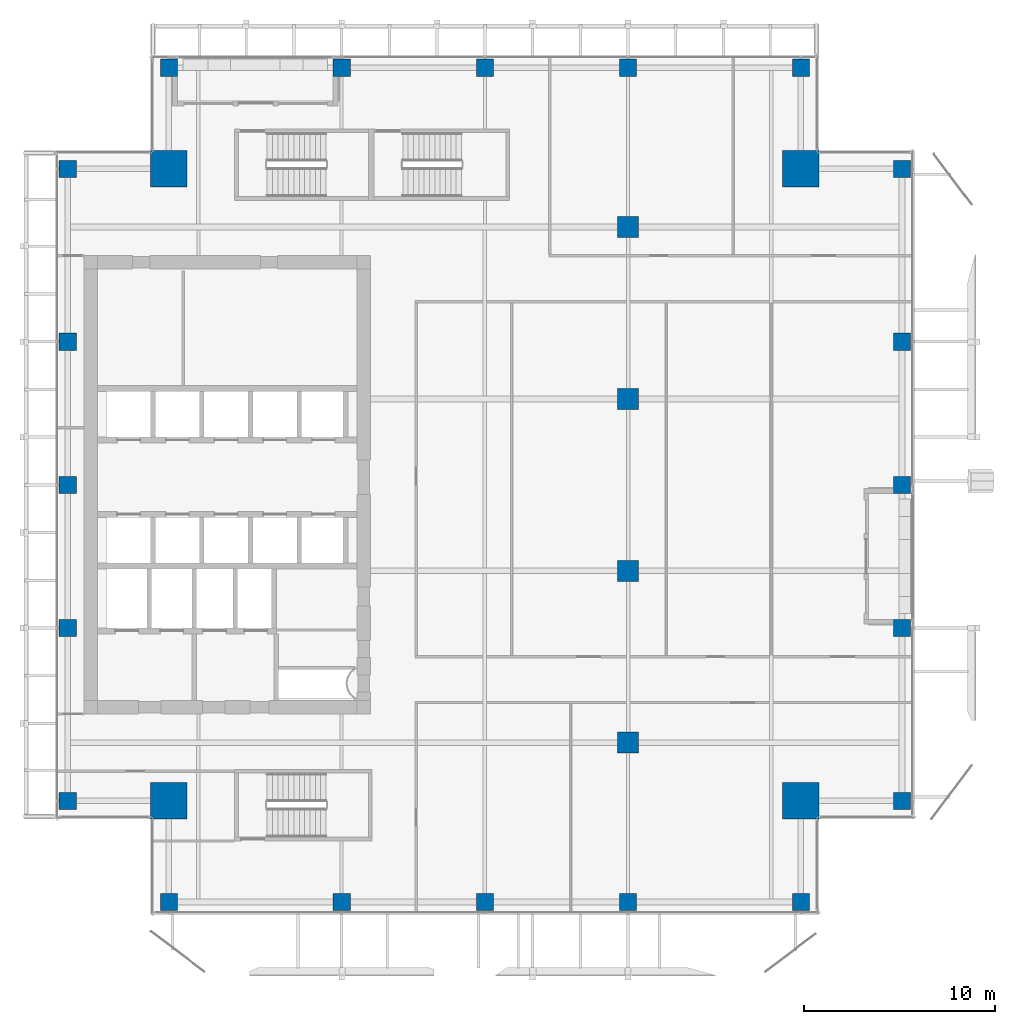
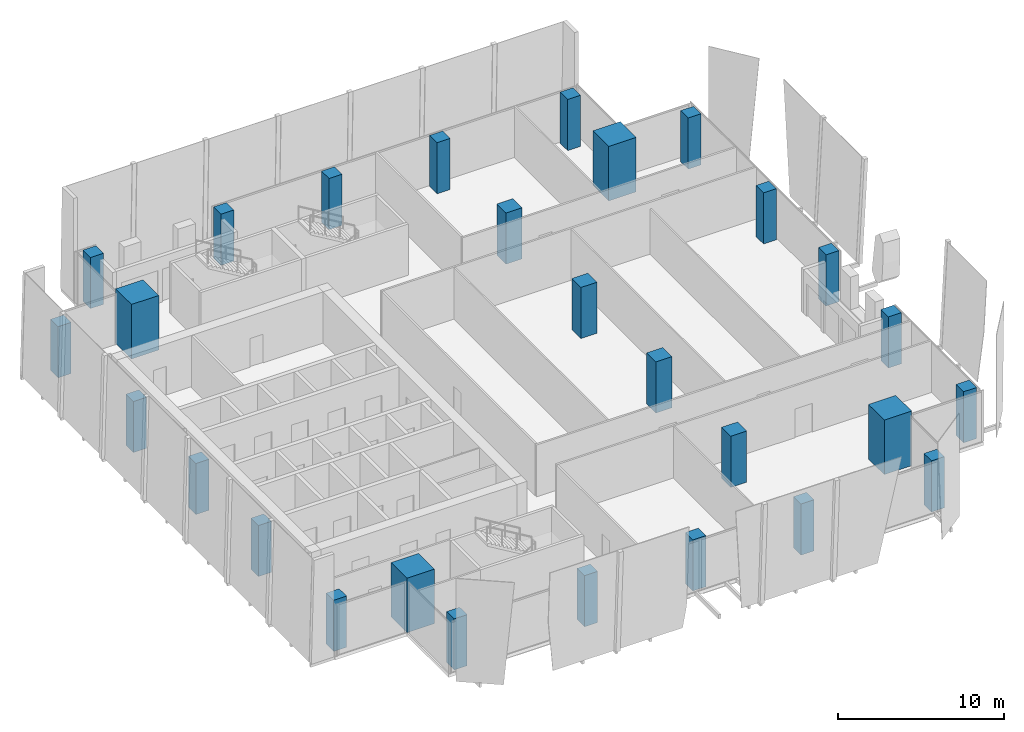
# One storey, part 1 of 35: 28 columns.
"""IFC4 building model written with IfcOpenShell, lengths in metres."""

import ifcopenshell
import ifcopenshell.guid

model = None  # the IFC model being written
_history = None  # IfcOwnerHistory: only IFC2X3 demands one
_inside = {}  # id of a spatial element -> (the spatial element, [elements in it])
_under = {}  # id of a project, library or spatial element -> (it, [spatial elements below it])
_declared = {}  # id of a project -> (the project, [libraries it declares])
_typed = {}  # id of a type object -> (the type object, [elements of that type])
_made_of = {}  # id of a material, layer set ... -> (it, [elements and type objects made of it])


def new_model(schema):
    """Start an empty IFC model of exactly this schema.

    Asked for "IFC4X3", IfcOpenShell would pick the latest addendum, in which some entities
    have other attributes; the version numbers below select the first issue.
    IFC2X3 requires an IfcOwnerHistory on every rooted entity: one is made here for all.
    """
    global model, _history
    if schema == "IFC4X3":
        model = ifcopenshell.file(schema_version=(4, 3, 0, 0))
    else:
        model = ifcopenshell.file(schema=schema)
    _inside.clear()
    _under.clear()
    _declared.clear()
    _typed.clear()
    _made_of.clear()
    _history = None
    if model.schema == "IFC2X3":
        org = make("IfcOrganization", Name="unknown")
        user = make(
            "IfcPersonAndOrganization",
            ThePerson=make("IfcPerson", FamilyName="unknown"),
            TheOrganization=org,
        )
        app = make(
            "IfcApplication",
            ApplicationDeveloper=org,
            Version="unknown",
            ApplicationFullName="unknown",
            ApplicationIdentifier="unknown",
        )
        _history = make(
            "IfcOwnerHistory",
            OwningUser=user,
            OwningApplication=app,
            ChangeAction="ADDED",
            CreationDate=0,
        )
    return model


def make(cls, **values):
    """One entity of the class cls with the attributes given. An attribute that is None is left unset."""
    return model.create_entity(
        cls, **{name: value for name, value in values.items() if value is not None}
    )


def rooted(cls, **values):
    """An entity with a GlobalId (a new one), such as an element, a storey or a relation."""
    return make(cls, GlobalId=ifcopenshell.guid.new(), OwnerHistory=_history, **values)


def si_unit(unit_type, name, prefix=None):
    """IfcSIUnit, for example si_unit("LENGTHUNIT", "METRE", prefix="MILLI")."""
    return make("IfcSIUnit", UnitType=unit_type, Prefix=prefix, Name=name)


def assignment(units):
    """IfcUnitAssignment: the units of a project."""
    return None if units is None else make("IfcUnitAssignment", Units=units)


def point(xyz):
    """IfcCartesianPoint."""
    return None if xyz is None else make("IfcCartesianPoint", Coordinates=xyz)


def direction(xyz):
    """IfcDirection."""
    return None if xyz is None else make("IfcDirection", DirectionRatios=xyz)


def frame(location, z_axis=None, x_axis=None):
    """IfcAxis2Placement3D, a coordinate frame: its origin and axes. An axis left out is left unset."""
    return make(
        "IfcAxis2Placement3D",
        Location=point(location),
        Axis=direction(z_axis),
        RefDirection=direction(x_axis),
    )


def frame_2d(location, x_axis=None):
    """IfcAxis2Placement2D, a coordinate frame in the plane: its origin and x axis."""
    return make(
        "IfcAxis2Placement2D", Location=point(location), RefDirection=direction(x_axis)
    )


def origin():
    """The frame at (0, 0, 0) with its axes left unset."""
    return frame((0.0, 0.0, 0.0))


def origin_2d():
    """The frame at (0, 0) in the plane with its x axis left unset."""
    return frame_2d((0.0, 0.0))


def place(relative_to, where):
    """IfcLocalPlacement: puts the frame where relative to a parent placement (None: the world)."""
    return make(
        "IfcLocalPlacement", PlacementRelTo=relative_to, RelativePlacement=where
    )


def context(
    kind, dimensions, precision=None, world=None, true_north=None, identifier=None
):
    """IfcGeometricRepresentationContext, for example the 3D "Model" context."""
    return make(
        "IfcGeometricRepresentationContext",
        ContextIdentifier=identifier,
        ContextType=kind,
        CoordinateSpaceDimension=dimensions,
        Precision=precision,
        WorldCoordinateSystem=world,
        TrueNorth=true_north,
    )


def subcontext(parent, identifier, kind, view, scale=None):
    """IfcGeometricRepresentationSubContext, for example "Body" below "Model"."""
    return make(
        "IfcGeometricRepresentationSubContext",
        ContextIdentifier=identifier,
        ContextType=kind,
        ParentContext=parent,
        TargetScale=scale,
        TargetView=view,
    )


def project(units=None, contexts=None):
    """IfcProject with its units and contexts."""
    return rooted(
        "IfcProject",
        Name="project",
        RepresentationContexts=contexts,
        UnitsInContext=assignment(units),
    )


def spatial(cls, under=None, at=None, **own):
    """A site, building, storey or space (cls), placed at a placement, below another one or the project."""
    s = rooted(cls, ObjectPlacement=at, **own)
    if under is not None:
        _under.setdefault(under.id(), (under, []))[1].append(s)
    return s


def profile(cls, at=None, kind="AREA", **sizes):
    """A parametric profile (cls). Its sizes go by their IFC names, for example OverallWidth=200.0."""
    return make(cls, ProfileType=kind, Position=at, **sizes)


def rectangle(**sizes):
    """IfcRectangleProfileDef."""
    return profile("IfcRectangleProfileDef", **sizes)


def extrude(swept, where, along, depth):
    """IfcExtrudedAreaSolid: the profile swept, set in the frame where, extruded along a direction by depth."""
    return make(
        "IfcExtrudedAreaSolid",
        SweptArea=swept,
        Position=where,
        ExtrudedDirection=direction(along),
        Depth=depth,
    )


def shape(context_of_items, identifier, shape_type, items):
    """IfcShapeRepresentation: the items that make up one representation, for example the "Body"."""
    return make(
        "IfcShapeRepresentation",
        ContextOfItems=context_of_items,
        RepresentationIdentifier=identifier,
        RepresentationType=shape_type,
        Items=items,
    )


def source(mapping_origin, context_of_items, identifier, shape_type, items):
    """IfcRepresentationMap: a shape defined once, which mapped items show again and again."""
    return make(
        "IfcRepresentationMap",
        MappingOrigin=mapping_origin,
        MappedRepresentation=shape(context_of_items, identifier, shape_type, items),
    )


def transform(
    local_origin,
    x_axis=None,
    y_axis=None,
    z_axis=None,
    scale=None,
    scale2=None,
    scale3=None,
    uniform=True,
):
    """IfcCartesianTransformationOperator3D, or its non-uniform kind. x_axis, y_axis, z_axis: its Axis1, 2, 3."""
    if uniform:
        return make(
            "IfcCartesianTransformationOperator3D",
            Axis1=direction(x_axis),
            Axis2=direction(y_axis),
            LocalOrigin=point(local_origin),
            Scale=scale,
            Axis3=direction(z_axis),
        )
    return make(
        "IfcCartesianTransformationOperator3DnonUniform",
        Axis1=direction(x_axis),
        Axis2=direction(y_axis),
        LocalOrigin=point(local_origin),
        Scale=scale,
        Axis3=direction(z_axis),
        Scale2=scale2,
        Scale3=scale3,
    )


def mapped(mapping_source, mapping_target):
    """IfcMappedItem: shows the shape of a source again, moved by a transform."""
    return make(
        "IfcMappedItem", MappingSource=mapping_source, MappingTarget=mapping_target
    )


def material(Name=None, Category=None):
    """IfcMaterial."""
    return make("IfcMaterial", Name=Name, Category=Category)


def material_profile(
    of_material, cross_section, Name=None, Category=None, Priority=None
):
    """IfcMaterialProfile: a cross section and its material."""
    return make(
        "IfcMaterialProfile",
        Name=Name,
        Material=of_material,
        Profile=cross_section,
        Priority=Priority,
        Category=Category,
    )


def profile_set(profiles, Name=None, composite=None):
    """IfcMaterialProfileSet."""
    return make(
        "IfcMaterialProfileSet",
        Name=Name,
        MaterialProfiles=profiles,
        CompositeProfile=composite,
    )


def made_of(thing, what):
    """Note that an element or type object is made of a material, layer set ...; save() writes the relation."""
    if what is not None:
        _made_of.setdefault(what.id(), (what, []))[1].append(thing)
    return thing


def type_object(cls, material=None, **own):
    """A type object (cls), such as IfcWallType, which elements share."""
    return made_of(rooted(cls, **own), material)


def element(
    cls,
    number,
    at=None,
    inside=None,
    cuts=None,
    type_object=None,
    material=None,
    context=None,
    identifier="Body",
    shape_type=None,
    held_by="IfcProductDefinitionShape",
    body=None,
    shapes=None,
    **own,
):
    """One element of the class cls, such as IfcWall. Its Tag is "e" and its number.

    at: its placement. inside: the storey or other place that contains it. cuts: it is an
    opening in that element (IfcRelVoidsElement). A single representation is given by context,
    identifier, shape_type and body (its items); several are given by shapes. held_by: the class
    of the entity that holds the representations. save() writes the other relations.
    """
    e = rooted(cls, Tag="e%d" % number, ObjectPlacement=at, **own)
    if body is not None:
        shapes = [shape(context, identifier, shape_type, body)]
    if shapes is not None:
        e.Representation = make(held_by, Representations=shapes)
    if inside is not None:
        _inside.setdefault(inside.id(), (inside, []))[1].append(e)
    if cuts is not None:
        rooted(
            "IfcRelVoidsElement", RelatingBuildingElement=cuts, RelatedOpeningElement=e
        )
    if type_object is not None:
        _typed.setdefault(type_object.id(), (type_object, []))[1].append(e)
    return made_of(e, material)


def aggregate(whole, parts):
    """IfcRelAggregates: a whole, such as a stair, and the parts it consists of."""
    return rooted("IfcRelAggregates", RelatingObject=whole, RelatedObjects=parts)


def save(model, path):
    """Write the relations noted so far, then the file.

    IfcRelAggregates (storeys below a building ...), IfcRelContainedInSpatialStructure (elements
    in a storey), IfcRelDefinesByType, IfcRelAssociatesMaterial and IfcRelDeclares: one each for
    every whole, place, type object, material and project.
    """
    for whole, parts in _under.values():
        aggregate(whole, parts)
    for where, things in _inside.values():
        rooted(
            "IfcRelContainedInSpatialStructure",
            RelatedElements=things,
            RelatingStructure=where,
        )
    for kind, things in _typed.values():
        rooted("IfcRelDefinesByType", RelatedObjects=things, RelatingType=kind)
    for what, things in _made_of.values():
        rooted("IfcRelAssociatesMaterial", RelatedObjects=things, RelatingMaterial=what)
    for by, libraries in _declared.values():
        rooted("IfcRelDeclares", RelatingContext=by, RelatedDefinitions=libraries)
    model.write(path)


model = new_model("IFC4")

# Units and contexts
model_context = context("Model", 3, precision=1e-05, world=origin(), true_north=direction((0.0, 1.0)))
body_context = subcontext(model_context, "Body", "Model", "MODEL_VIEW")
ifc_project = project(units=[si_unit("LENGTHUNIT", "METRE"), si_unit("AREAUNIT", "SQUARE_METRE"), si_unit("VOLUMEUNIT", "CUBIC_METRE"), si_unit("PLANEANGLEUNIT", "RADIAN"), si_unit("MASSUNIT", "GRAM", prefix="KILO")], contexts=[model_context])

# Site, building, storey
site_placement = place(None, origin())
site = spatial("IfcSite", under=ifc_project, at=site_placement, CompositionType="ELEMENT")
building_placement = place(site_placement, origin())
building = spatial("IfcBuilding", under=site, at=building_placement, Name="Khomas Fold Tower", CompositionType="ELEMENT")
storey_placement = place(building_placement, frame((0.0, 0.0, 258.199951171875)))
storey = spatial("IfcBuildingStorey", under=building, at=storey_placement, Name="L58", CompositionType="ELEMENT", Elevation=258.199951171875)

# Columns
ifc_material_1 = material(Name="Concrete C60/75", Category="concrete")
ifc_material_profile_1 = material_profile(ifc_material_1, rectangle(XDim=1.89990234375, YDim=1.89990234375, at=origin_2d()), Name="RC 1900x1900")
ifc_profile_set_1 = profile_set([ifc_material_profile_1], Name="Concrete C60/75")
column_type_1 = type_object("IfcColumnType", Name="RC 1900x1900 column", PredefinedType="COLUMN", material=ifc_profile_set_1)
shared_shape_1 = source(origin(), body_context, "Body", "SweptSolid", [
    extrude(rectangle(XDim=1.89990234375, YDim=1.89990234375, at=origin_2d()), origin(), (0.0, 0.0, 1.0), 4.0),
])
for number, where, z_axis, x_axis, name in (
    (1, (43.550048828125, 43.550048828125, 0.0), (0.0, 0.0, 1.0), (1.0, 0.0, 0.0), "CM-NE"),
    (2, (10.449951171875, 43.550048828125, 0.0), (0.0, 0.0, 1.0), (1.0, 0.0, 0.0), "CM-NW"),
    (3, (43.550048828125, 10.449951171875, 0.0), (0.0, 0.0, 1.0), (1.0, 0.0, 0.0), "CM-SE"),
    (4, (10.449951171875, 10.449951171875, 0.0), (0.0, 0.0, 1.0), (1.0, 0.0, 0.0), "CM-SW"),
):
    element("IfcColumn", number, at=place(storey_placement, frame(where, z_axis=z_axis, x_axis=x_axis)), inside=storey, type_object=column_type_1, Name=name, PredefinedType="COLUMN", context=body_context, shape_type="MappedRepresentation", body=[
        mapped(shared_shape_1, transform((0.0, 0.0, 0.0))),
    ])
ifc_material_2 = material(Name="Concrete C50/60", Category="concrete")
ifc_material_profile_2 = material_profile(ifc_material_2, rectangle(XDim=0.89990234375, YDim=0.89990234375, at=origin_2d()), Name="RC 900x900")
ifc_profile_set_2 = profile_set([ifc_material_profile_2], Name="Concrete C50/60")
column_type_2 = type_object("IfcColumnType", Name="RC 900x900 column", PredefinedType="COLUMN", material=ifc_profile_set_2)
shared_shape_2 = source(origin(), body_context, "Body", "SweptSolid", [
    extrude(rectangle(XDim=0.89990234375, YDim=0.89990234375, at=origin_2d()), origin(), (0.0, 0.0, 1.0), 3.75),
])
for number, where, z_axis, x_axis, name in (
    (5, (10.449951171875, 5.14990234375, 0.0), (0.0, 0.0, 1.0), (1.0, 0.0, 0.0), "C-5-SF4"),
    (6, (19.5, 5.14990234375, 0.0), (0.0, 0.0, 1.0), (1.0, 0.0, 0.0), "C-8-SF4"),
    (7, (27.0, 5.14990234375, 0.0), (0.0, 0.0, 1.0), (1.0, 0.0, 0.0), "C-9-SF4"),
    (8, (34.5, 5.14990234375, 0.0), (0.0, 0.0, 1.0), (1.0, 0.0, 0.0), "C-10-SF4"),
    (9, (43.550048828125, 5.14990234375, 0.0), (0.0, 0.0, 1.0), (1.0, 0.0, 0.0), "C-14-SF4"),
    (10, (48.85009765625, 10.449951171875, 0.0), (0.0, 0.0, 1.0), (1.0, 0.0, 0.0), "C-E4-E"),
    (11, (48.85009765625, 19.5, 0.0), (0.0, 0.0, 1.0), (1.0, 0.0, 0.0), "C-E4-J"),
    (12, (48.85009765625, 27.0, 0.0), (0.0, 0.0, 1.0), (1.0, 0.0, 0.0), "C-E4-L"),
    (13, (48.85009765625, 34.5, 0.0), (0.0, 0.0, 1.0), (1.0, 0.0, 0.0), "C-E4-N"),
    (14, (48.85009765625, 43.550048828125, 0.0), (0.0, 0.0, 1.0), (1.0, 0.0, 0.0), "C-E4-S"),
    (15, (10.449951171875, 48.85009765625, 0.0), (0.0, 0.0, 1.0), (1.0, 0.0, 0.0), "C-5-NF4"),
    (16, (19.5, 48.85009765625, 0.0), (0.0, 0.0, 1.0), (1.0, 0.0, 0.0), "C-8-NF4"),
    (17, (27.0, 48.85009765625, 0.0), (0.0, 0.0, 1.0), (1.0, 0.0, 0.0), "C-9-NF4"),
    (18, (34.5, 48.85009765625, 0.0), (0.0, 0.0, 1.0), (1.0, 0.0, 0.0), "C-10-NF4"),
    (19, (43.550048828125, 48.85009765625, 0.0), (0.0, 0.0, 1.0), (1.0, 0.0, 0.0), "C-14-NF4"),
    (20, (5.14990234375, 10.449951171875, 0.0), (0.0, 0.0, 1.0), (1.0, 0.0, 0.0), "C-W4-E"),
    (21, (5.14990234375, 19.5, 0.0), (0.0, 0.0, 1.0), (1.0, 0.0, 0.0), "C-W4-J"),
    (22, (5.14990234375, 27.0, 0.0), (0.0, 0.0, 1.0), (1.0, 0.0, 0.0), "C-W4-L"),
    (23, (5.14990234375, 34.5, 0.0), (0.0, 0.0, 1.0), (1.0, 0.0, 0.0), "C-W4-N"),
    (24, (5.14990234375, 43.550048828125, 0.0), (0.0, 0.0, 1.0), (1.0, 0.0, 0.0), "C-W4-S"),
):
    element("IfcColumn", number, at=place(storey_placement, frame(where, z_axis=z_axis, x_axis=x_axis)), inside=storey, type_object=column_type_2, Name=name, PredefinedType="COLUMN", context=body_context, shape_type="MappedRepresentation", body=[
        mapped(shared_shape_2, transform((0.0, 0.0, 0.0))),
    ])
ifc_material_3 = material(Name="Concrete C50/60", Category="concrete")
ifc_material_profile_3 = material_profile(ifc_material_3, rectangle(XDim=1.10009765625, YDim=1.10009765625, at=origin_2d()), Name="RC 1100x1100")
ifc_profile_set_3 = profile_set([ifc_material_profile_3], Name="Concrete C50/60")
column_type_3 = type_object("IfcColumnType", Name="RC 1100x1100 column", PredefinedType="COLUMN", material=ifc_profile_set_3)
shared_shape_3 = source(origin(), body_context, "Body", "SweptSolid", [
    extrude(rectangle(XDim=1.10009765625, YDim=1.10009765625, at=origin_2d()), origin(), (0.0, 0.0, 1.0), 3.75),
])
for number, where, z_axis, x_axis, name in (
    (25, (34.5, 13.5, 0.0), (0.0, 0.0, 1.0), (1.0, 0.0, 0.0), "C-10-H"),
    (26, (34.5, 22.5, 0.0), (0.0, 0.0, 1.0), (1.0, 0.0, 0.0), "C-10-K"),
    (27, (34.5, 31.5, 0.0), (0.0, 0.0, 1.0), (1.0, 0.0, 0.0), "C-10-M"),
    (28, (34.5, 40.5, 0.0), (0.0, 0.0, 1.0), (1.0, 0.0, 0.0), "C-10-P"),
):
    element("IfcColumn", number, at=place(storey_placement, frame(where, z_axis=z_axis, x_axis=x_axis)), inside=storey, type_object=column_type_3, Name=name, PredefinedType="COLUMN", context=body_context, shape_type="MappedRepresentation", body=[
        mapped(shared_shape_3, transform((0.0, 0.0, 0.0))),
    ])

save(model, "model.ifc")
